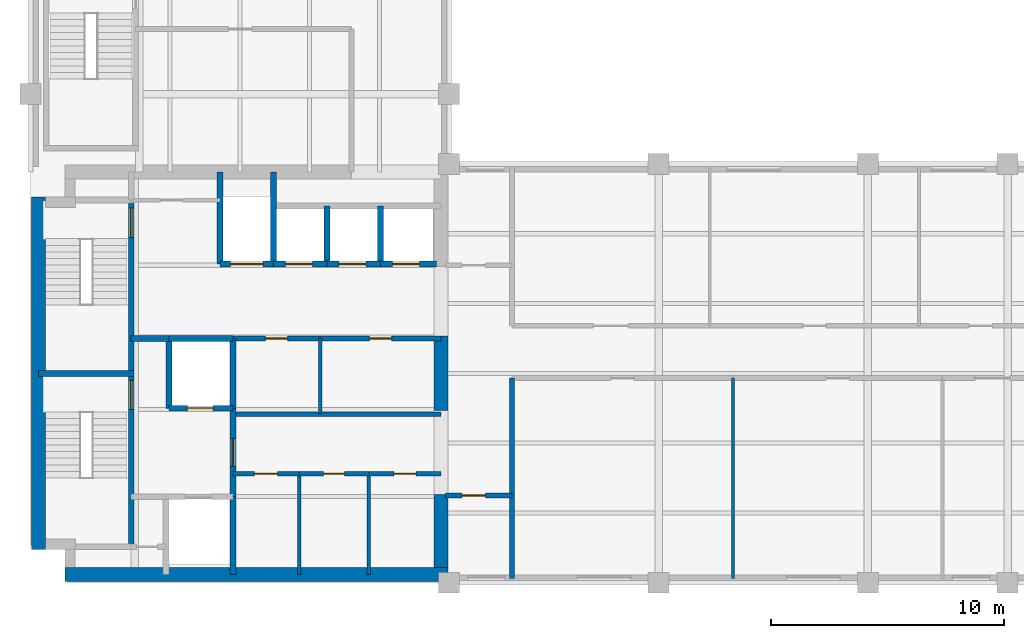
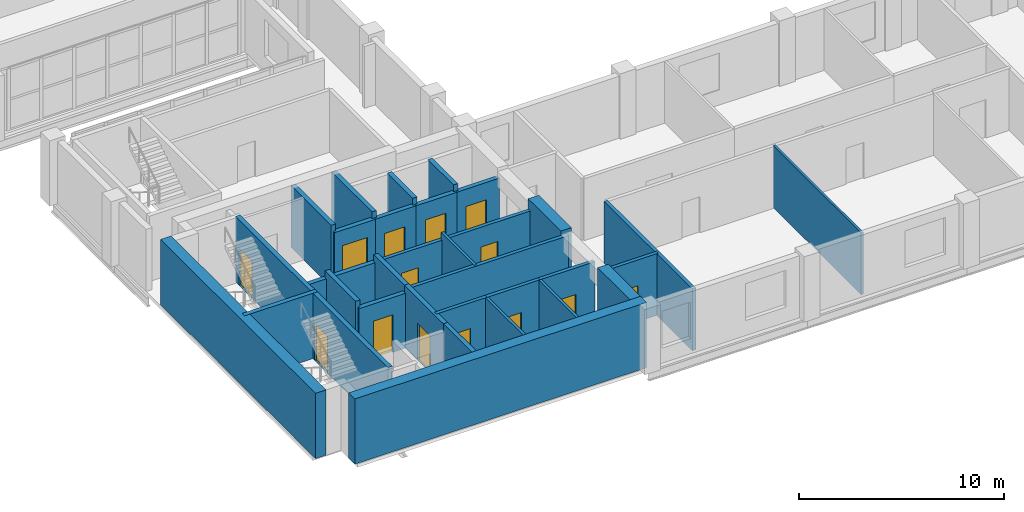
# One storey, part 6 of 9: 34 walls, 14 doors, 14 openings.
"""IFC4 building model written with IfcOpenShell, lengths in metres."""

from ifc_helpers import new_model, si_unit, direction, frame, frame_2d, origin, place, context, subcontext, project, spatial, rectangle, extrude, material, layer, layer_set, type_object, element, fill, save


model = new_model("IFC4")

# Units and contexts
model_context = context("Model", 3, precision=1e-05, world=origin(), true_north=direction((0.0, 1.0)))
body_context = subcontext(model_context, "Body", "Model", "MODEL_VIEW")
ifc_project = project(units=[si_unit("LENGTHUNIT", "METRE"), si_unit("AREAUNIT", "SQUARE_METRE"), si_unit("VOLUMEUNIT", "CUBIC_METRE"), si_unit("PLANEANGLEUNIT", "RADIAN"), si_unit("MASSUNIT", "GRAM", prefix="KILO")], contexts=[model_context])

# Site, building, storey
site_placement = place(None, origin())
site = spatial("IfcSite", under=ifc_project, at=site_placement, CompositionType="ELEMENT")
building_placement = place(site_placement, origin())
building = spatial("IfcBuilding", under=site, at=building_placement, Name="Mawjdan Bourse Tower", CompositionType="ELEMENT")
storey_placement = place(building_placement, frame((0.0, 0.0, 195.60009765625)))
storey = spatial("IfcBuildingStorey", under=building, at=storey_placement, Name="L47", CompositionType="ELEMENT", Elevation=195.60009765625)

# Wall, opening, door
ifc_material_1 = material(Name="Gypsum Fireboard Assembly")
ifc_layer_1 = layer(ifc_material_1, 0.199951171875)
ifc_layer_set_1 = layer_set([ifc_layer_1], Name="Gypsum Fireboard Assembly")
wall_type_1 = type_object("IfcWallType", Name="WL-CMP-200", PredefinedType="PARTITIONING", material=ifc_layer_set_1)
wall_1_placement = place(storey_placement, frame((14.699951171875, 7.679931640625, 0.0), z_axis=(0.0, 0.0, 1.0), x_axis=(1.0, 0.0, 0.0)))
wall_1 = element("IfcWall", 1, at=wall_1_placement, inside=storey, type_object=wall_type_1, Name="L47 Archive & Records Office North Wall", PredefinedType="PARTITIONING", context=body_context, shape_type="SweptSolid", body=[
    extrude(rectangle(XDim=2.85009765625, YDim=0.199951171875, at=frame_2d((1.425048828125, 0.0))), origin(), (0.0, 0.0, 1.0), 3.68994140625),
])
opening_1_placement = place(wall_1_placement, frame((0.925048828125, 0.0, 0.0)))
opening_1 = element("IfcOpeningElement", 2, at=opening_1_placement, cuts=wall_1, Name="Opening D-L47-13", PredefinedType="OPENING", context=body_context, shape_type="SweptSolid", body=[
    extrude(rectangle(XDim=1.0, YDim=2.14990234375, at=frame_2d((0.5, 1.074951171875))), frame((0.0, 0.10986328125, 0.0), z_axis=(0.0, -1.0, 0.0), x_axis=(1.0, 0.0, 0.0)), (0.0, 0.0, 1.0), 0.219970703125),
])
ifc_material_2 = material(Name="Hardwood Acoustic Leaf", Category="wood")
door_type_1 = type_object("IfcDoorType", Name="DR-OFC-1000", OperationType="NOTDEFINED", PredefinedType="DOOR", material=ifc_material_2)
door_1_placement = place(opening_1_placement, origin())
door_1 = element("IfcDoor", 3, at=door_1_placement, inside=storey, type_object=door_type_1, Name="L47 Archive & Records Office Door D-L47-13", OperationType="SINGLE_SWING_RIGHT", OverallHeight=2.14990234375, OverallWidth=1.0, PredefinedType="DOOR", context=body_context, shape_type="SweptSolid", body=[
    extrude(rectangle(XDim=1.0, YDim=2.14990234375, at=frame_2d((0.5, 1.074951171875))), frame((0.0, 0.02490234375, 0.0), z_axis=(0.0, -1.0, 0.0), x_axis=(1.0, 0.0, 0.0)), (0.0, 0.0, 1.0), 0.050048828125),
])
fill(opening_1, door_1)

wall_2_placement = place(storey_placement, frame((17.550048828125, 7.679931640625, 0.0), z_axis=(0.0, 0.0, 1.0), x_axis=(1.0, 0.0, 0.0)))
wall_2 = element("IfcWall", 4, at=wall_2_placement, inside=storey, type_object=wall_type_1, Name="L47 IT & Fiber Patch Room North Wall", PredefinedType="PARTITIONING", context=body_context, shape_type="SweptSolid", body=[
    extrude(rectangle(XDim=3.0, YDim=0.199951171875, at=frame_2d((1.5, 0.0))), origin(), (0.0, 0.0, 1.0), 3.68994140625),
])
opening_2_placement = place(wall_2_placement, frame((1.050048828125, 0.0, 0.0)))
opening_2 = element("IfcOpeningElement", 5, at=opening_2_placement, cuts=wall_2, Name="Opening D-L47-14", PredefinedType="OPENING", context=body_context, shape_type="SweptSolid", body=[
    extrude(rectangle(XDim=0.89990234375, YDim=2.10009765625, at=frame_2d((0.449951171875, 1.050048828125))), frame((0.0, 0.10986328125, 0.0), z_axis=(0.0, -1.0, 0.0), x_axis=(1.0, 0.0, 0.0)), (0.0, 0.0, 1.0), 0.219970703125),
])
ifc_material_3 = material(Name="Fire-Rated Steel Access Leaf", Category="steel")
door_type_2 = type_object("IfcDoorType", Name="FD-RSR-0900", OperationType="NOTDEFINED", PredefinedType="TRAPDOOR", material=ifc_material_3)
door_2_placement = place(opening_2_placement, origin())
door_2 = element("IfcDoor", 6, at=door_2_placement, inside=storey, type_object=door_type_2, Name="L47 IT & Fiber Patch Room Door D-L47-14", OperationType="SINGLE_SWING_LEFT", OverallHeight=2.10009765625, OverallWidth=0.89990234375, PredefinedType="TRAPDOOR", context=body_context, shape_type="SweptSolid", body=[
    extrude(rectangle(XDim=0.89990234375, YDim=2.10009765625, at=frame_2d((0.449951171875, 1.050048828125))), frame((0.0, 0.02490234375, 0.0), z_axis=(0.0, -1.0, 0.0), x_axis=(1.0, 0.0, 0.0)), (0.0, 0.0, 1.0), 0.050048828125),
])
fill(opening_2, door_2)

wall_3_placement = place(storey_placement, frame((20.550048828125, 7.679931640625, 0.0), z_axis=(0.0, 0.0, 1.0), x_axis=(1.0, 0.0, 0.0)))
wall_3 = element("IfcWall", 7, at=wall_3_placement, inside=storey, type_object=wall_type_1, Name="L47 Staff Tea Pantry North Wall", PredefinedType="PARTITIONING", context=body_context, shape_type="SweptSolid", body=[
    extrude(rectangle(XDim=3.099853515625, YDim=0.199951171875, at=frame_2d((1.5498046875, 0.0))), origin(), (0.0, 0.0, 1.0), 3.68994140625),
])
opening_3_placement = place(wall_3_placement, frame((1.074951171875, 0.0, 0.0)))
opening_3 = element("IfcOpeningElement", 8, at=opening_3_placement, cuts=wall_3, Name="Opening D-L47-15", PredefinedType="OPENING", context=body_context, shape_type="SweptSolid", body=[
    extrude(rectangle(XDim=0.949951171875, YDim=2.10009765625, at=frame_2d((0.47509765625, 1.050048828125))), frame((0.0, 0.10986328125, 0.0), z_axis=(0.0, -1.0, 0.0), x_axis=(1.0, 0.0, 0.0)), (0.0, 0.0, 1.0), 0.219970703125),
])
ifc_material_4 = material(Name="Moisture-Resistant Laminate Timber", Category="wood")
door_type_3 = type_object("IfcDoorType", Name="DR-WET-0950", OperationType="NOTDEFINED", PredefinedType="DOOR", material=ifc_material_4)
door_3_placement = place(opening_3_placement, origin())
door_3 = element("IfcDoor", 9, at=door_3_placement, inside=storey, type_object=door_type_3, Name="L47 Staff Tea Pantry Door D-L47-15", OperationType="SINGLE_SWING_RIGHT", OverallHeight=2.10009765625, OverallWidth=0.949951171875, PredefinedType="DOOR", context=body_context, shape_type="SweptSolid", body=[
    extrude(rectangle(XDim=0.949951171875, YDim=2.10009765625, at=frame_2d((0.47509765625, 1.050048828125))), frame((0.0, 0.02490234375, 0.0), z_axis=(0.0, -1.0, 0.0), x_axis=(1.0, 0.0, 0.0)), (0.0, 0.0, 1.0), 0.050048828125),
])
fill(opening_3, door_3)

# Wall
wall_4_placement = place(storey_placement, frame((14.824951171875, 10.25, 0.0), z_axis=(0.0, 0.0, 1.0), x_axis=(1.0, 0.0, 0.0)))
element("IfcWall", 10, at=wall_4_placement, inside=storey, type_object=wall_type_1, Name="L47 Core Restroom Suite South Wall", PredefinedType="PARTITIONING", context=body_context, shape_type="SweptSolid", body=[
    extrude(rectangle(XDim=8.824951171875, YDim=0.199951171875, at=frame_2d((4.41259765625, 0.0))), origin(), (0.0, 0.0, 1.0), 3.68994140625),
])

# Wall, opening, door
wall_5_placement = place(storey_placement, frame((14.699951171875, 13.5, 0.0), z_axis=(0.0, 0.0, 1.0), x_axis=(1.0, 0.0, 0.0)))
wall_5 = element("IfcWall", 11, at=wall_5_placement, inside=storey, type_object=wall_type_1, Name="L47 Accessible WC North Wall", PredefinedType="PARTITIONING", context=body_context, shape_type="SweptSolid", body=[
    extrude(rectangle(XDim=3.75, YDim=0.199951171875, at=frame_2d((1.875, 0.0))), origin(), (0.0, 0.0, 1.0), 3.282958984375),
])
opening_4_placement = place(wall_5_placement, frame((1.39990234375, 0.0, 0.0)))
opening_4 = element("IfcOpeningElement", 12, at=opening_4_placement, cuts=wall_5, Name="Opening D-L47-16", PredefinedType="OPENING", context=body_context, shape_type="SweptSolid", body=[
    extrude(rectangle(XDim=0.949951171875, YDim=2.10009765625, at=frame_2d((0.47509765625, 1.050048828125))), frame((0.0, 0.10986328125, 0.0), z_axis=(0.0, -1.0, 0.0), x_axis=(1.0, 0.0, 0.0)), (0.0, 0.0, 1.0), 0.219970703125),
])
door_4_placement = place(opening_4_placement, origin())
door_4 = element("IfcDoor", 13, at=door_4_placement, inside=storey, type_object=door_type_3, Name="L47 Accessible WC Door D-L47-16", OperationType="SINGLE_SWING_LEFT", OverallHeight=2.10009765625, OverallWidth=0.949951171875, PredefinedType="DOOR", context=body_context, shape_type="SweptSolid", body=[
    extrude(rectangle(XDim=0.949951171875, YDim=2.10009765625, at=frame_2d((0.47509765625, 1.050048828125))), frame((0.0, 0.02490234375, 0.0), z_axis=(0.0, -1.0, 0.0), x_axis=(1.0, 0.0, 0.0)), (0.0, 0.0, 1.0), 0.050048828125),
])
fill(opening_4, door_4)

wall_6_placement = place(storey_placement, frame((18.449951171875, 13.5, 0.0), z_axis=(0.0, 0.0, 1.0), x_axis=(1.0, 0.0, 0.0)))
wall_6 = element("IfcWall", 14, at=wall_6_placement, inside=storey, type_object=wall_type_1, Name="L47 Unisex Restroom Suite North Wall", PredefinedType="PARTITIONING", context=body_context, shape_type="SweptSolid", body=[
    extrude(rectangle(XDim=5.199951171875, YDim=0.199951171875, at=frame_2d((2.60009765625, 0.0))), origin(), (0.0, 0.0, 1.0), 3.282958984375),
])
opening_5_placement = place(wall_6_placement, frame((2.125, 0.0, 0.0)))
opening_5 = element("IfcOpeningElement", 15, at=opening_5_placement, cuts=wall_6, Name="Opening D-L47-17", PredefinedType="OPENING", context=body_context, shape_type="SweptSolid", body=[
    extrude(rectangle(XDim=0.949951171875, YDim=2.10009765625, at=frame_2d((0.47509765625, 1.050048828125))), frame((0.0, 0.10986328125, 0.0), z_axis=(0.0, -1.0, 0.0), x_axis=(1.0, 0.0, 0.0)), (0.0, 0.0, 1.0), 0.219970703125),
])
door_5_placement = place(opening_5_placement, origin())
door_5 = element("IfcDoor", 16, at=door_5_placement, inside=storey, type_object=door_type_3, Name="L47 Unisex Restroom Suite Door D-L47-17", OperationType="SINGLE_SWING_RIGHT", OverallHeight=2.10009765625, OverallWidth=0.949951171875, PredefinedType="DOOR", context=body_context, shape_type="SweptSolid", body=[
    extrude(rectangle(XDim=0.949951171875, YDim=2.10009765625, at=frame_2d((0.47509765625, 1.050048828125))), frame((0.0, 0.02490234375, 0.0), z_axis=(0.0, -1.0, 0.0), x_axis=(1.0, 0.0, 0.0)), (0.0, 0.0, 1.0), 0.050048828125),
])
fill(opening_5, door_5)

wall_7_placement = place(storey_placement, frame((23.85009765625, 6.75, 0.0), z_axis=(0.0, 0.0, 1.0), x_axis=(1.0, 0.0, 0.0)))
wall_7 = element("IfcWall", 17, at=wall_7_placement, inside=storey, type_object=wall_type_1, Name="L47 West Pocket North Wall", PredefinedType="PARTITIONING", context=body_context, shape_type="SweptSolid", body=[
    extrude(rectangle(XDim=2.849853515625, YDim=0.199951171875, at=frame_2d((1.4248046875, 0.0))), origin(), (0.0, 0.0, 1.0), 3.68994140625),
])
opening_6_placement = place(wall_7_placement, frame((0.699951171875, 0.0, 0.0)))
opening_6 = element("IfcOpeningElement", 18, at=opening_6_placement, cuts=wall_7, Name="Opening D-L47-20", PredefinedType="OPENING", context=body_context, shape_type="SweptSolid", body=[
    extrude(rectangle(XDim=1.0, YDim=2.14990234375, at=frame_2d((0.5, 1.074951171875))), frame((0.0, 0.10986328125, 0.0), z_axis=(0.0, -1.0, 0.0), x_axis=(1.0, 0.0, 0.0)), (0.0, 0.0, 1.0), 0.219970703125),
])
door_6_placement = place(opening_6_placement, origin())
door_6 = element("IfcDoor", 19, at=door_6_placement, inside=storey, type_object=door_type_1, Name="L47 West Pocket Office Door D-L47-20", OperationType="SINGLE_SWING_LEFT", OverallHeight=2.14990234375, OverallWidth=1.0, PredefinedType="DOOR", context=body_context, shape_type="SweptSolid", body=[
    extrude(rectangle(XDim=1.0, YDim=2.14990234375, at=frame_2d((0.5, 1.074951171875))), frame((0.0, 0.02490234375, 0.0), z_axis=(0.0, -1.0, 0.0), x_axis=(1.0, 0.0, 0.0)), (0.0, 0.0, 1.0), 0.050048828125),
])
fill(opening_6, door_6)

# Walls
wall_8_placement = place(storey_placement, frame((26.699951171875, 3.179931640625, 0.0), z_axis=(0.0, 0.0, 1.0), x_axis=(0.0, 1.0, 0.0)))
element("IfcWall", 20, at=wall_8_placement, inside=storey, type_object=wall_type_1, Name="L47 Vestibule South East Wall", PredefinedType="PARTITIONING", context=body_context, shape_type="SweptSolid", body=[
    extrude(rectangle(XDim=8.6201171875, YDim=0.199951171875, at=frame_2d((4.31005859375, 0.0))), origin(), (0.0, 0.0, 1.0), 3.68994140625),
])
ifc_material_5 = material(Name="Concrete C70/85", Category="concrete")
ifc_layer_2 = layer(ifc_material_5, 0.60009765625)
ifc_layer_set_2 = layer_set([ifc_layer_2], Name="Concrete C70/85")
wall_type_2 = type_object("IfcWallType", Name="WL-CORE-600", PredefinedType="SHEAR", material=ifc_layer_set_2)
wall_9_placement = place(storey_placement, frame((7.47509765625, 3.35009765625, 0.0), z_axis=(0.0, 0.0, 1.0), x_axis=(1.0, 0.0, 0.0)))
element("IfcWall", 21, at=wall_9_placement, inside=storey, type_object=wall_type_2, Name="L47 Rear Core Shear Wall S", PredefinedType="SHEAR", context=body_context, shape_type="SweptSolid", body=[
    extrude(rectangle(XDim=16.474853515625, YDim=0.60009765625, at=frame_2d((8.2373046875, 0.0))), origin(), (0.0, 0.0, 1.0), 3.89990234375),
])
wall_10_placement = place(storey_placement, frame((6.35009765625, 4.425048828125, 0.0), z_axis=(0.0, 0.0, 1.0), x_axis=(0.0, 1.0, 0.0)))
element("IfcWall", 22, at=wall_10_placement, inside=storey, type_object=wall_type_2, Name="L47 Rear Core Shear Wall W", PredefinedType="SHEAR", context=body_context, shape_type="SweptSolid", body=[
    extrude(rectangle(XDim=15.14990234375, YDim=0.60009765625, at=frame_2d((7.574951171875, 0.0))), origin(), (0.0, 0.0, 1.0), 3.89990234375),
])
wall_11_placement = place(storey_placement, frame((23.64990234375, 3.64990234375, 0.0), z_axis=(0.0, 0.0, 1.0), x_axis=(0.0, 1.0, 0.0)))
element("IfcWall", 23, at=wall_11_placement, inside=storey, type_object=wall_type_2, Name="L47 Rear Core Shear Wall E1", PredefinedType="SHEAR", context=body_context, shape_type="SweptSolid", body=[
    extrude(rectangle(XDim=3.150146484375, YDim=0.60009765625, at=frame_2d((1.5751953125, 0.0))), origin(), (0.0, 0.0, 1.0), 3.89990234375),
])
wall_12_placement = place(storey_placement, frame((23.64990234375, 10.39990234375, 0.0), z_axis=(0.0, 0.0, 1.0), x_axis=(0.0, 1.0, 0.0)))
element("IfcWall", 24, at=wall_12_placement, inside=storey, type_object=wall_type_2, Name="L47 Rear Core Shear Wall E2", PredefinedType="SHEAR", context=body_context, shape_type="SweptSolid", body=[
    extrude(rectangle(XDim=3.2001953125, YDim=0.60009765625, at=frame_2d((1.60009765625, 0.0))), origin(), (0.0, 0.0, 1.0), 3.89990234375),
])
ifc_material_6 = material(Name="Gypsum Partition")
ifc_layer_3 = layer(ifc_material_6, 0.125)
ifc_layer_set_3 = layer_set([ifc_layer_3], Name="Gypsum Partition")
wall_type_3 = type_object("IfcWallType", Name="WL-PRT-125", PredefinedType="PARTITIONING", material=ifc_layer_set_3)
wall_13_placement = place(storey_placement, frame((36.199951171875, 3.179931640625, 0.0), z_axis=(0.0, 0.0, 1.0), x_axis=(0.0, 1.0, 0.0)))
element("IfcWall", 25, at=wall_13_placement, inside=storey, type_object=wall_type_3, Name="L47 Executive Office Partition", PredefinedType="PARTITIONING", context=body_context, shape_type="SweptSolid", body=[
    extrude(rectangle(XDim=8.6201171875, YDim=0.125, at=frame_2d((4.31005859375, 0.0))), origin(), (0.0, 0.0, 1.0), 3.68994140625),
])
ifc_material_7 = material(Name="Gypsum Acoustic Partition")
ifc_layer_4 = layer(ifc_material_7, 0.14990234375)
ifc_layer_set_4 = layer_set([ifc_layer_4], Name="Gypsum Acoustic Partition")
wall_type_4 = type_object("IfcWallType", Name="WL-PRT-150", PredefinedType="PARTITIONING", material=ifc_layer_set_4)
for number, where, z_axis, x_axis, name in (
    (26, (17.550048828125, 3.35009765625, 0.0), (0.0, 0.0, 1.0), (0.0, 1.0, 0.0), "L47 IT & Fiber Patch Room Core Split Wall"),
    (27, (20.550048828125, 3.35009765625, 0.0), (0.0, 0.0, 1.0), (0.0, 1.0, 0.0), "L47 Staff Tea Pantry Core Split Wall"),
):
    element("IfcWall", number, at=place(storey_placement, frame(where, z_axis=z_axis, x_axis=x_axis)), inside=storey, type_object=wall_type_4, Name=name, PredefinedType="PARTITIONING", context=body_context, shape_type="SweptSolid", body=[
        extrude(rectangle(XDim=4.329833984375, YDim=0.14990234375, at=frame_2d((2.1650390625, 0.0))), origin(), (0.0, 0.0, 1.0), 3.68994140625),
    ])
wall_14_placement = place(storey_placement, frame((18.449951171875, 10.25, 0.0), z_axis=(0.0, 0.0, 1.0), x_axis=(0.0, 1.0, 0.0)))
element("IfcWall", 28, at=wall_14_placement, inside=storey, type_object=wall_type_4, Name="L47 Unisex Restroom Suite Split Wall", PredefinedType="PARTITIONING", context=body_context, shape_type="SweptSolid", body=[
    extrude(rectangle(XDim=3.25, YDim=0.14990234375, at=frame_2d((1.625, 0.0))), origin(), (0.0, 0.0, 1.0), 3.68994140625),
])
ifc_material_8 = material(Name="Concrete C50/60", Category="concrete")
ifc_layer_5 = layer(ifc_material_8, 0.25)
ifc_layer_set_5 = layer_set([ifc_layer_5], Name="Concrete C50/60")
wall_type_5 = type_object("IfcWallType", Name="WL-SHFT-250", PredefinedType="PARTITIONING", material=ifc_layer_set_5)
wall_15_placement = place(storey_placement, frame((14.699951171875, 3.35009765625, 0.0), z_axis=(0.0, 0.0, 1.0), x_axis=(0.0, 1.0, 0.0)))
element("IfcWall", 29, at=wall_15_placement, inside=storey, type_object=wall_type_5, Name="L47 FFL-01 East Shaft Wall", PredefinedType="PARTITIONING", context=body_context, shape_type="SweptSolid", body=[
    extrude(rectangle(XDim=3.349853515625, YDim=0.25, at=frame_2d((1.6748046875, 0.0))), origin(), (0.0, 0.0, 1.0), 3.68994140625),
])

# Wall, opening, door
wall_16_placement = place(storey_placement, frame((11.949951171875, 10.5, 0.0), z_axis=(0.0, 0.0, 1.0), x_axis=(1.0, 0.0, 0.0)))
wall_16 = element("IfcWall", 30, at=wall_16_placement, inside=storey, type_object=wall_type_5, Name="L47 FFL-02 Front Shaft Wall", PredefinedType="PARTITIONING", context=body_context, shape_type="SweptSolid", body=[
    extrude(rectangle(XDim=2.75, YDim=0.25, at=frame_2d((1.375, 0.0))), origin(), (0.0, 0.0, 1.0), 3.282958984375),
])
opening_7_placement = place(wall_16_placement, frame((0.800048828125, 0.0, 0.0)))
opening_7 = element("IfcOpeningElement", 31, at=opening_7_placement, cuts=wall_16, Name="Opening LD-L47-06", PredefinedType="OPENING", context=body_context, shape_type="SweptSolid", body=[
    extrude(rectangle(XDim=1.10009765625, YDim=2.25, at=frame_2d((0.550048828125, 1.125))), frame((0.0, 0.135009765625, 0.0), z_axis=(0.0, -1.0, 0.0), x_axis=(1.0, 0.0, 0.0)), (0.0, 0.0, 1.0), 0.27001953125),
])
ifc_material_9 = material(Name="Brushed Stainless Steel", Category="steel")
door_type_4 = type_object("IfcDoorType", Name="LD-FFL-1100", OperationType="DOUBLE_DOOR_SLIDING", PredefinedType="DOOR", material=ifc_material_9)
door_7_placement = place(opening_7_placement, origin())
door_7 = element("IfcDoor", 32, at=door_7_placement, inside=storey, type_object=door_type_4, Name="L47 Firefighting Lift FFL-02 Landing Door LD-L47-06", OperationType="DOUBLE_DOOR_SLIDING", OverallHeight=2.25, OverallWidth=1.10009765625, PredefinedType="DOOR", context=body_context, shape_type="SweptSolid", body=[
    extrude(rectangle(XDim=1.10009765625, YDim=2.25, at=frame_2d((0.550048828125, 1.125))), frame((0.0, 0.02490234375, 0.0), z_axis=(0.0, -1.0, 0.0), x_axis=(1.0, 0.0, 0.0)), (0.0, 0.0, 1.0), 0.050048828125),
])
fill(opening_7, door_7)

# Walls
wall_17_placement = place(storey_placement, frame((11.949951171875, 10.5, 0.0), z_axis=(0.0, 0.0, 1.0), x_axis=(0.0, 1.0, 0.0)))
element("IfcWall", 33, at=wall_17_placement, inside=storey, type_object=wall_type_5, Name="L47 FFL-02 West Shaft Wall", PredefinedType="PARTITIONING", context=body_context, shape_type="SweptSolid", body=[
    extrude(rectangle(XDim=3.0, YDim=0.25, at=frame_2d((1.5, 0.0))), origin(), (0.0, 0.0, 1.0), 3.68994140625),
])
wall_18_placement = place(storey_placement, frame((11.949951171875, 13.5, 0.0), z_axis=(0.0, 0.0, 1.0), x_axis=(1.0, 0.0, 0.0)))
element("IfcWall", 34, at=wall_18_placement, inside=storey, type_object=wall_type_5, Name="L47 FFL-02 North Shaft Wall", PredefinedType="PARTITIONING", context=body_context, shape_type="SweptSolid", body=[
    extrude(rectangle(XDim=2.75, YDim=0.25, at=frame_2d((1.375, 0.0))), origin(), (0.0, 0.0, 1.0), 3.282958984375),
])
wall_19_placement = place(storey_placement, frame((14.699951171875, 10.5, 0.0), z_axis=(0.0, 0.0, 1.0), x_axis=(0.0, 1.0, 0.0)))
element("IfcWall", 35, at=wall_19_placement, inside=storey, type_object=wall_type_5, Name="L47 FFL-02 East Shaft Wall", PredefinedType="PARTITIONING", context=body_context, shape_type="SweptSolid", body=[
    extrude(rectangle(XDim=3.0, YDim=0.25, at=frame_2d((1.5, 0.0))), origin(), (0.0, 0.0, 1.0), 3.68994140625),
])

# Wall, opening, door
wall_20_placement = place(storey_placement, frame((14.699951171875, 6.699951171875, 0.0), z_axis=(0.0, 0.0, 1.0), x_axis=(0.0, 1.0, 0.0)))
wall_20 = element("IfcWall", 36, at=wall_20_placement, inside=storey, type_object=wall_type_5, Name="L47 Firefighting Lobby East Compartment Wall", PredefinedType="PARTITIONING", context=body_context, shape_type="SweptSolid", body=[
    extrude(rectangle(XDim=3.800048828125, YDim=0.25, at=frame_2d((1.89990234375, 0.0))), origin(), (0.0, 0.0, 1.0), 3.68994140625),
])
opening_8_placement = place(wall_20_placement, frame((1.300048828125, 0.0, 0.0)))
opening_8 = element("IfcOpeningElement", 37, at=opening_8_placement, cuts=wall_20, Name="Opening FD-L47-07", PredefinedType="OPENING", context=body_context, shape_type="SweptSolid", body=[
    extrude(rectangle(XDim=1.199951171875, YDim=2.199951171875, at=frame_2d((0.60009765625, 1.10009765625))), frame((0.0, 0.135009765625, 0.0), z_axis=(0.0, -1.0, 0.0), x_axis=(1.0, 0.0, 0.0)), (0.0, 0.0, 1.0), 0.27001953125),
])
ifc_material_10 = material(Name="Fire-Rated Steel Leaf", Category="steel")
door_type_5 = type_object("IfcDoorType", Name="FD-FFL-1200", OperationType="NOTDEFINED", PredefinedType="DOOR", material=ifc_material_10)
door_8_placement = place(opening_8_placement, origin())
door_8 = element("IfcDoor", 38, at=door_8_placement, inside=storey, type_object=door_type_5, Name="L47 Firefighting Lobby East Smoke Door FD-L47-07", OperationType="SINGLE_SWING_RIGHT", OverallHeight=2.199951171875, OverallWidth=1.199951171875, PredefinedType="DOOR", context=body_context, shape_type="SweptSolid", body=[
    extrude(rectangle(XDim=1.199951171875, YDim=2.199951171875, at=frame_2d((0.60009765625, 1.10009765625))), frame((0.0, 0.02490234375, 0.0), z_axis=(0.0, -1.0, 0.0), x_axis=(1.0, 0.0, 0.0)), (0.0, 0.0, 1.0), 0.050048828125),
])
fill(opening_8, door_8)

# Wall
wall_21_placement = place(storey_placement, frame((10.330078125, 13.5, 0.0), z_axis=(0.0, 0.0, 1.0), x_axis=(1.0, 0.0, 0.0)))
element("IfcWall", 39, at=wall_21_placement, inside=storey, type_object=wall_type_5, Name="L47 Firefighting Lobby North Compartment Wall", PredefinedType="PARTITIONING", context=body_context, shape_type="SweptSolid", body=[
    extrude(rectangle(XDim=1.619873046875, YDim=0.25, at=frame_2d((0.81005859375, 0.0))), origin(), (0.0, 0.0, 1.0), 3.282958984375),
])

# Wall, opening, door
wall_22_placement = place(storey_placement, frame((14.14990234375, 16.699951171875, 0.0), z_axis=(0.0, 0.0, 1.0), x_axis=(1.0, 0.0, 0.0)))
wall_22 = element("IfcWall", 40, at=wall_22_placement, inside=storey, type_object=wall_type_5, Name="L47 SVL-01 Front Shaft Wall", PredefinedType="PARTITIONING", context=body_context, shape_type="SweptSolid", body=[
    extrude(rectangle(XDim=2.300048828125, YDim=0.25, at=frame_2d((1.14990234375, 0.0))), origin(), (0.0, 0.0, 1.0), 3.282958984375),
])
opening_9_placement = place(wall_22_placement, frame((0.449951171875, 0.0, 0.0)))
opening_9 = element("IfcOpeningElement", 41, at=opening_9_placement, cuts=wall_22, Name="Opening LD-L47-09", PredefinedType="OPENING", context=body_context, shape_type="SweptSolid", body=[
    extrude(rectangle(XDim=1.39990234375, YDim=2.35009765625, at=frame_2d((0.699951171875, 1.175048828125))), frame((0.0, 0.135009765625, 0.0), z_axis=(0.0, -1.0, 0.0), x_axis=(1.0, 0.0, 0.0)), (0.0, 0.0, 1.0), 0.27001953125),
])
ifc_material_11 = material(Name="Heavy-Duty Stainless Steel", Category="steel")
door_type_6 = type_object("IfcDoorType", Name="LD-SRV-1400", OperationType="DOUBLE_DOOR_SLIDING", PredefinedType="DOOR", material=ifc_material_11)
door_9_placement = place(opening_9_placement, origin())
door_9 = element("IfcDoor", 42, at=door_9_placement, inside=storey, type_object=door_type_6, Name="L47 Service Lift SVL-01 Landing Door LD-L47-09", OperationType="DOUBLE_DOOR_SLIDING", OverallHeight=2.35009765625, OverallWidth=1.39990234375, PredefinedType="DOOR", context=body_context, shape_type="SweptSolid", body=[
    extrude(rectangle(XDim=1.39990234375, YDim=2.35009765625, at=frame_2d((0.699951171875, 1.175048828125))), frame((0.0, 0.02490234375, 0.0), z_axis=(0.0, -1.0, 0.0), x_axis=(1.0, 0.0, 0.0)), (0.0, 0.0, 1.0), 0.050048828125),
])
fill(opening_9, door_9)

# Walls
for number, where, z_axis, x_axis, name in (
    (43, (14.14990234375, 16.699951171875, 0.0), (0.0, 0.0, 1.0), (0.0, 1.0, 0.0), "L47 SVL-01 West Shaft Wall"),
    (44, (16.449951171875, 16.699951171875, 0.0), (0.0, 0.0, 1.0), (0.0, 1.0, 0.0), "L47 SVL-01 East Shaft Wall"),
):
    element("IfcWall", number, at=place(storey_placement, frame(where, z_axis=z_axis, x_axis=x_axis)), inside=storey, type_object=wall_type_5, Name=name, PredefinedType="PARTITIONING", context=body_context, shape_type="SweptSolid", body=[
        extrude(rectangle(XDim=3.949951171875, YDim=0.25, at=frame_2d((1.97509765625, 0.0))), origin(), (0.0, 0.0, 1.0), 3.68994140625),
    ])

# Wall, opening, door
wall_23_placement = place(storey_placement, frame((16.449951171875, 16.699951171875, 0.0), z_axis=(0.0, 0.0, 1.0), x_axis=(1.0, 0.0, 0.0)))
wall_23 = element("IfcWall", 45, at=wall_23_placement, inside=storey, type_object=wall_type_5, Name="L47 PH-01 Front Wall", PredefinedType="PARTITIONING", context=body_context, shape_type="SweptSolid", body=[
    extrude(rectangle(XDim=2.300048828125, YDim=0.25, at=frame_2d((1.14990234375, 0.0))), origin(), (0.0, 0.0, 1.0), 3.282958984375),
])
opening_10_placement = place(wall_23_placement, frame((0.52001953125, 0.0, 0.0)))
opening_10 = element("IfcOpeningElement", 46, at=opening_10_placement, cuts=wall_23, Name="Opening LD-L47-10", PredefinedType="OPENING", context=body_context, shape_type="SweptSolid", body=[
    extrude(rectangle(XDim=1.14990234375, YDim=2.25, at=frame_2d((0.574951171875, 1.125))), frame((0.0, 0.135009765625, 0.0), z_axis=(0.0, -1.0, 0.0), x_axis=(1.0, 0.0, 0.0)), (0.0, 0.0, 1.0), 0.27001953125),
])
door_type_7 = type_object("IfcDoorType", Name="LD-PAS-1150", OperationType="DOUBLE_DOOR_SLIDING", PredefinedType="DOOR", material=ifc_material_9)
door_10_placement = place(opening_10_placement, origin())
door_10 = element("IfcDoor", 47, at=door_10_placement, inside=storey, type_object=door_type_7, Name="L47 Lift PH-01 Landing Door LD-L47-10", OperationType="DOUBLE_DOOR_SLIDING", OverallHeight=2.25, OverallWidth=1.14990234375, PredefinedType="DOOR", context=body_context, shape_type="SweptSolid", body=[
    extrude(rectangle(XDim=1.14990234375, YDim=2.25, at=frame_2d((0.574951171875, 1.125))), frame((0.0, 0.02490234375, 0.0), z_axis=(0.0, -1.0, 0.0), x_axis=(1.0, 0.0, 0.0)), (0.0, 0.0, 1.0), 0.050048828125),
])
fill(opening_10, door_10)

# Wall
wall_24_placement = place(storey_placement, frame((18.75, 16.699951171875, 0.0), z_axis=(0.0, 0.0, 1.0), x_axis=(0.0, 1.0, 0.0)))
element("IfcWall", 48, at=wall_24_placement, inside=storey, type_object=wall_type_5, Name="L47 PH-01 Divider Wall", PredefinedType="PARTITIONING", context=body_context, shape_type="SweptSolid", body=[
    extrude(rectangle(XDim=2.5, YDim=0.25, at=frame_2d((1.25, 0.0))), origin(), (0.0, 0.0, 1.0), 3.68994140625),
])

# Wall, opening, door
wall_25_placement = place(storey_placement, frame((18.75, 16.699951171875, 0.0), z_axis=(0.0, 0.0, 1.0), x_axis=(1.0, 0.0, 0.0)))
wall_25 = element("IfcWall", 49, at=wall_25_placement, inside=storey, type_object=wall_type_5, Name="L47 PH-02 Front Wall", PredefinedType="PARTITIONING", context=body_context, shape_type="SweptSolid", body=[
    extrude(rectangle(XDim=2.300048828125, YDim=0.25, at=frame_2d((1.14990234375, 0.0))), origin(), (0.0, 0.0, 1.0), 3.282958984375),
])
opening_11_placement = place(wall_25_placement, frame((0.52001953125, 0.0, 0.0)))
opening_11 = element("IfcOpeningElement", 50, at=opening_11_placement, cuts=wall_25, Name="Opening LD-L47-11", PredefinedType="OPENING", context=body_context, shape_type="SweptSolid", body=[
    extrude(rectangle(XDim=1.14990234375, YDim=2.25, at=frame_2d((0.574951171875, 1.125))), frame((0.0, 0.135009765625, 0.0), z_axis=(0.0, -1.0, 0.0), x_axis=(1.0, 0.0, 0.0)), (0.0, 0.0, 1.0), 0.27001953125),
])
door_11_placement = place(opening_11_placement, origin())
door_11 = element("IfcDoor", 51, at=door_11_placement, inside=storey, type_object=door_type_7, Name="L47 Lift PH-02 Landing Door LD-L47-11", OperationType="DOUBLE_DOOR_SLIDING", OverallHeight=2.25, OverallWidth=1.14990234375, PredefinedType="DOOR", context=body_context, shape_type="SweptSolid", body=[
    extrude(rectangle(XDim=1.14990234375, YDim=2.25, at=frame_2d((0.574951171875, 1.125))), frame((0.0, 0.02490234375, 0.0), z_axis=(0.0, -1.0, 0.0), x_axis=(1.0, 0.0, 0.0)), (0.0, 0.0, 1.0), 0.050048828125),
])
fill(opening_11, door_11)

# Wall
wall_26_placement = place(storey_placement, frame((21.050048828125, 16.699951171875, 0.0), z_axis=(0.0, 0.0, 1.0), x_axis=(0.0, 1.0, 0.0)))
element("IfcWall", 52, at=wall_26_placement, inside=storey, type_object=wall_type_5, Name="L47 PH-02 Divider Wall", PredefinedType="PARTITIONING", context=body_context, shape_type="SweptSolid", body=[
    extrude(rectangle(XDim=2.5, YDim=0.25, at=frame_2d((1.25, 0.0))), origin(), (0.0, 0.0, 1.0), 3.68994140625),
])

# Wall, opening, door
wall_27_placement = place(storey_placement, frame((21.050048828125, 16.699951171875, 0.0), z_axis=(0.0, 0.0, 1.0), x_axis=(1.0, 0.0, 0.0)))
wall_27 = element("IfcWall", 53, at=wall_27_placement, inside=storey, type_object=wall_type_5, Name="L47 PH-03 Front Wall", PredefinedType="PARTITIONING", context=body_context, shape_type="SweptSolid", body=[
    extrude(rectangle(XDim=2.39990234375, YDim=0.25, at=frame_2d((1.199951171875, 0.0))), origin(), (0.0, 0.0, 1.0), 3.282958984375),
])
opening_12_placement = place(wall_27_placement, frame((0.52001953125, 0.0, 0.0)))
opening_12 = element("IfcOpeningElement", 54, at=opening_12_placement, cuts=wall_27, Name="Opening LD-L47-12", PredefinedType="OPENING", context=body_context, shape_type="SweptSolid", body=[
    extrude(rectangle(XDim=1.14990234375, YDim=2.25, at=frame_2d((0.574951171875, 1.125))), frame((0.0, 0.135009765625, 0.0), z_axis=(0.0, -1.0, 0.0), x_axis=(1.0, 0.0, 0.0)), (0.0, 0.0, 1.0), 0.27001953125),
])
door_12_placement = place(opening_12_placement, origin())
door_12 = element("IfcDoor", 55, at=door_12_placement, inside=storey, type_object=door_type_7, Name="L47 Lift PH-03 Landing Door LD-L47-12", OperationType="DOUBLE_DOOR_SLIDING", OverallHeight=2.25, OverallWidth=1.14990234375, PredefinedType="DOOR", context=body_context, shape_type="SweptSolid", body=[
    extrude(rectangle(XDim=1.14990234375, YDim=2.25, at=frame_2d((0.574951171875, 1.125))), frame((0.0, 0.02490234375, 0.0), z_axis=(0.0, -1.0, 0.0), x_axis=(1.0, 0.0, 0.0)), (0.0, 0.0, 1.0), 0.050048828125),
])
fill(opening_12, door_12)

# Wall
ifc_layer_6 = layer(ifc_material_8, 0.25)
ifc_layer_set_6 = layer_set([ifc_layer_6], Name="Concrete C50/60")
wall_type_6 = type_object("IfcWallType", Name="WL-STRW-250", PredefinedType="SHEAR", material=ifc_layer_set_6)
wall_28_placement = place(storey_placement, frame((6.35009765625, 12.0, 0.0), z_axis=(0.0, 0.0, 1.0), x_axis=(1.0, 0.0, 0.0)))
element("IfcWall", 56, at=wall_28_placement, inside=storey, type_object=wall_type_6, Name="L47 Stairwell Dividing Shaft Wall", PredefinedType="SHEAR", context=body_context, shape_type="SweptSolid", body=[
    extrude(rectangle(XDim=4.10498046875, YDim=0.25, at=frame_2d((2.052490234375, 0.0))), origin(), (0.0, 0.0, 1.0), 3.89990234375),
])

# Wall, opening, door
wall_29_placement = place(storey_placement, frame((10.330078125, 4.550048828125, 0.0), z_axis=(0.0, 0.0, 1.0), x_axis=(0.0, 1.0, 0.0)))
wall_29 = element("IfcWall", 57, at=wall_29_placement, inside=storey, type_object=wall_type_6, Name="L47 Stairwell ST1 East Enclosure Wall", PredefinedType="SHEAR", context=body_context, shape_type="SweptSolid", body=[
    extrude(rectangle(XDim=7.449951171875, YDim=0.25, at=frame_2d((3.72509765625, 0.0))), origin(), (0.0, 0.0, 1.0), 3.89990234375),
])
opening_13_placement = place(wall_29_placement, frame((5.89990234375, 0.0, 0.0)))
opening_13 = element("IfcOpeningElement", 58, at=opening_13_placement, cuts=wall_29, Name="Opening SD-L47-01", PredefinedType="OPENING", context=body_context, shape_type="SweptSolid", body=[
    extrude(rectangle(XDim=1.25, YDim=2.199951171875, at=frame_2d((0.625, 1.10009765625))), frame((0.0, 0.135009765625, 0.0), z_axis=(0.0, -1.0, 0.0), x_axis=(1.0, 0.0, 0.0)), (0.0, 0.0, 1.0), 0.27001953125),
])
door_type_8 = type_object("IfcDoorType", Name="FD-ST-1250", OperationType="NOTDEFINED", PredefinedType="DOOR", material=ifc_material_10)
door_13_placement = place(opening_13_placement, origin())
door_13 = element("IfcDoor", 59, at=door_13_placement, inside=storey, type_object=door_type_8, Name="L47 Exit Stair ST1 Fire Door SD-L47-01", OperationType="SINGLE_SWING_RIGHT", OverallHeight=2.199951171875, OverallWidth=1.25, PredefinedType="DOOR", context=body_context, shape_type="SweptSolid", body=[
    extrude(rectangle(XDim=1.25, YDim=2.199951171875, at=frame_2d((0.625, 1.10009765625))), frame((0.0, 0.02490234375, 0.0), z_axis=(0.0, -1.0, 0.0), x_axis=(1.0, 0.0, 0.0)), (0.0, 0.0, 1.0), 0.050048828125),
])
fill(opening_13, door_13)

wall_30_placement = place(storey_placement, frame((10.330078125, 12.0, 0.0), z_axis=(0.0, 0.0, 1.0), x_axis=(0.0, 1.0, 0.0)))
wall_30 = element("IfcWall", 60, at=wall_30_placement, inside=storey, type_object=wall_type_6, Name="L47 Stairwell ST2 East Enclosure Wall", PredefinedType="SHEAR", context=body_context, shape_type="SweptSolid", body=[
    extrude(rectangle(XDim=7.449951171875, YDim=0.25, at=frame_2d((3.72509765625, 0.0))), origin(), (0.0, 0.0, 1.0), 3.89990234375),
])
opening_14_placement = place(wall_30_placement, frame((5.85009765625, 0.0, 0.0)))
opening_14 = element("IfcOpeningElement", 61, at=opening_14_placement, cuts=wall_30, Name="Opening SD-L47-02", PredefinedType="OPENING", context=body_context, shape_type="SweptSolid", body=[
    extrude(rectangle(XDim=1.25, YDim=2.199951171875, at=frame_2d((0.625, 1.10009765625))), frame((0.0, 0.135009765625, 0.0), z_axis=(0.0, -1.0, 0.0), x_axis=(1.0, 0.0, 0.0)), (0.0, 0.0, 1.0), 0.27001953125),
])
door_14_placement = place(opening_14_placement, origin())
door_14 = element("IfcDoor", 62, at=door_14_placement, inside=storey, type_object=door_type_8, Name="L47 Exit Stair ST2 Fire Door SD-L47-02", OperationType="SINGLE_SWING_LEFT", OverallHeight=2.199951171875, OverallWidth=1.25, PredefinedType="DOOR", context=body_context, shape_type="SweptSolid", body=[
    extrude(rectangle(XDim=1.25, YDim=2.199951171875, at=frame_2d((0.625, 1.10009765625))), frame((0.0, 0.02490234375, 0.0), z_axis=(0.0, -1.0, 0.0), x_axis=(1.0, 0.0, 0.0)), (0.0, 0.0, 1.0), 0.050048828125),
])
fill(opening_14, door_14)

save(model, "model.ifc")
